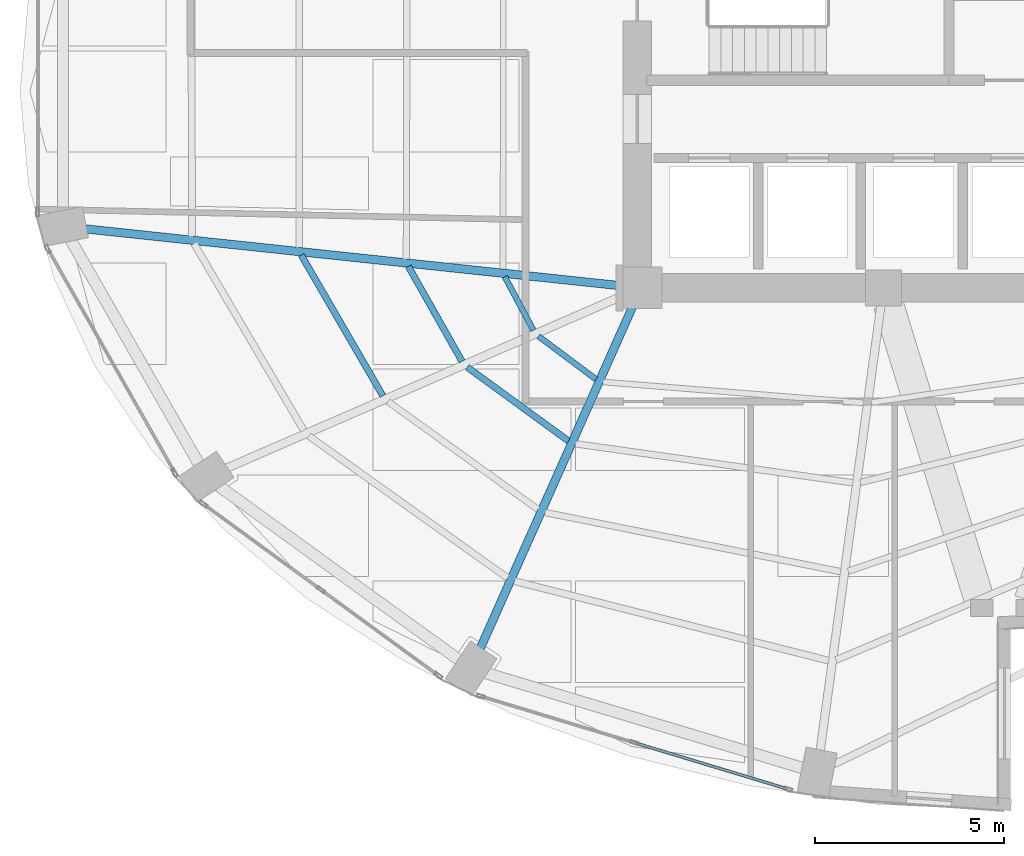
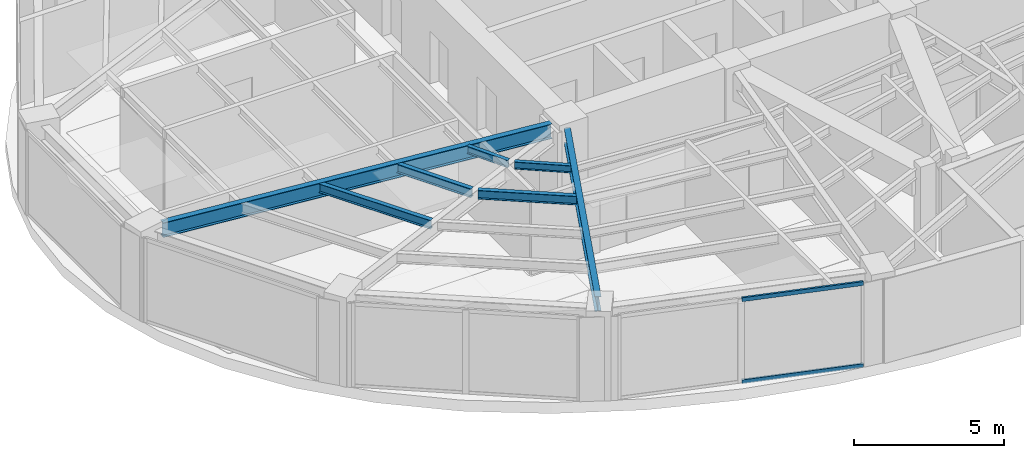
# One storey, part 4 of 23: 7 beams, 2 members, 1 element without a shape of its own.
"""IFC4 building model written with IfcOpenShell, lengths in metres."""

from ifc_helpers import new_model, si_unit, direction, frame, origin, origin_2d, place, context, subcontext, project, spatial, hollow_rectangle, i_section, extrude, material, layer, layer_set, material_profile, profile_set, type_object, element, aggregate, save


model = new_model("IFC4")

# Units and contexts
model_context = context("Model", 3, precision=1e-05, world=origin(), true_north=direction((0.0, 1.0)))
body_context = subcontext(model_context, "Body", "Model", "MODEL_VIEW")
ifc_project = project(units=[si_unit("LENGTHUNIT", "METRE"), si_unit("AREAUNIT", "SQUARE_METRE"), si_unit("VOLUMEUNIT", "CUBIC_METRE"), si_unit("PLANEANGLEUNIT", "RADIAN"), si_unit("MASSUNIT", "GRAM", prefix="KILO")], contexts=[model_context])

# Site, building, storey
site_placement = place(None, origin())
site = spatial("IfcSite", under=ifc_project, at=site_placement, CompositionType="ELEMENT")
building_placement = place(site_placement, origin())
building = spatial("IfcBuilding", under=site, at=building_placement, Name="Lazwardi Medical Tower", CompositionType="ELEMENT")
storey_placement = place(building_placement, frame((0.0, 0.0, 81.743896484375)))
storey = spatial("IfcBuildingStorey", under=building, at=storey_placement, Name="L20", CompositionType="ELEMENT", Elevation=81.743896484375)

# Beams
ifc_material_1 = material(Name="Steel S355", Category="steel")
ifc_material_profile_1 = material_profile(ifc_material_1, i_section(OverallWidth=0.219970703125, OverallDepth=0.60009765625, WebThickness=0.011962890625, FlangeThickness=0.01904296875, at=origin_2d()), Name="IPE 600")
ifc_profile_set_1 = profile_set([ifc_material_profile_1], Name="Steel S355")
beam_type_1 = type_object("IfcBeamType", Name="BM-RG-W1", PredefinedType="BEAM", material=ifc_profile_set_1)
beam_1_placement = place(storey_placement, frame((11.7138671875, 21.958984375, 3.128173828125), z_axis=(0.994413340753, -0.10555618282, 0.0), x_axis=(0.10555618282, 0.994413340753, 0.0)))
element("IfcBeam", 1, at=beam_1_placement, inside=storey, type_object=beam_type_1, Name="Radial girder RG-02 R13 L20", PredefinedType="BEAM", context=body_context, shape_type="SweptSolid", body=[
    extrude(i_section(OverallWidth=0.219970703125, OverallDepth=0.60009765625, WebThickness=0.011962890625, FlangeThickness=0.01904296875, at=origin_2d()), origin(), (0.0, 0.0, 1.0), 14.233642578125),
])
beam_2_placement = place(storey_placement, frame((22.152587890625, 10.872314453125, 3.128173828125), z_axis=(0.407165924957, 0.913354208155, 0.0), x_axis=(-0.913354208155, 0.407165924957, 0.0)))
element("IfcBeam", 2, at=beam_2_placement, inside=storey, type_object=beam_type_1, Name="Radial girder RG-02 R15 L20", PredefinedType="BEAM", context=body_context, shape_type="SweptSolid", body=[
    extrude(i_section(OverallWidth=0.219970703125, OverallDepth=0.60009765625, WebThickness=0.011962890625, FlangeThickness=0.01904296875, at=origin_2d()), origin(), (0.0, 0.0, 1.0), 9.896484375),
])
ifc_material_profile_2 = material_profile(ifc_material_1, i_section(OverallWidth=0.169921875, OverallDepth=0.360107421875, WebThickness=0.008056640625, FlangeThickness=0.0126953125, at=origin_2d()), Name="IPE 360")
ifc_profile_set_2 = profile_set([ifc_material_profile_2], Name="Steel S355")
beam_type_2 = type_object("IfcBeamType", Name="BM-SJ-02", PredefinedType="JOIST", material=ifc_profile_set_2)
beam_3_placement = place(storey_placement, frame((17.42822265625, 21.26708984375, 3.248046875), z_axis=(0.501365325212, -0.865235696602, 0.0), x_axis=(0.865235696602, 0.501365325212, 0.0)))
element("IfcBeam", 3, at=beam_3_placement, inside=storey, type_object=beam_type_2, Name="Secondary joist SJ-02 R2 B13 L20", PredefinedType="JOIST", context=body_context, shape_type="SweptSolid", body=[
    extrude(i_section(OverallWidth=0.169921875, OverallDepth=0.360107421875, WebThickness=0.008056640625, FlangeThickness=0.0126953125, at=origin_2d()), origin(), (0.0, 0.0, 1.0), 4.298828125),
])
beam_4_placement = place(storey_placement, frame((20.258056640625, 20.966064453125, 3.248046875), z_axis=(0.492026539517, -0.870580199873, 0.0), x_axis=(0.870580199873, 0.492026539517, 0.0)))
element("IfcBeam", 4, at=beam_4_placement, inside=storey, type_object=beam_type_2, Name="Secondary joist SJ-02 R3 B13 L20", PredefinedType="JOIST", context=body_context, shape_type="SweptSolid", body=[
    extrude(i_section(OverallWidth=0.169921875, OverallDepth=0.360107421875, WebThickness=0.008056640625, FlangeThickness=0.0126953125, at=origin_2d()), origin(), (0.0, 0.0, 1.0), 2.880859375),
])
beam_5_placement = place(storey_placement, frame((21.81201171875, 18.3046875, 3.248046875), z_axis=(0.808301737247, -0.588768461761, 0.0), x_axis=(0.588768461761, 0.808301737247, 0.0)))
element("IfcBeam", 5, at=beam_5_placement, inside=storey, type_object=beam_type_2, Name="Secondary joist SJ-02 R3 B14 L20", PredefinedType="JOIST", context=body_context, shape_type="SweptSolid", body=[
    extrude(i_section(OverallWidth=0.169921875, OverallDepth=0.360107421875, WebThickness=0.008056640625, FlangeThickness=0.0126953125, at=origin_2d()), origin(), (0.0, 0.0, 1.0), 3.307373046875),
])
ifc_material_profile_3 = material_profile(ifc_material_1, i_section(OverallWidth=0.14990234375, OverallDepth=0.300048828125, WebThickness=0.007080078125, FlangeThickness=0.0107421875, at=origin_2d()), Name="IPE 300")
ifc_profile_set_3 = profile_set([ifc_material_profile_3], Name="Steel S355")
beam_type_3 = type_object("IfcBeamType", Name="BM-SJ-03", PredefinedType="JOIST", material=ifc_profile_set_3)
beam_6_placement = place(storey_placement, frame((22.8037109375, 20.6943359375, 3.278076171875), z_axis=(0.471022344925, -0.882121278839, 0.0), x_axis=(0.882121278839, 0.471022344925, 0.0)))
element("IfcBeam", 6, at=beam_6_placement, inside=storey, type_object=beam_type_3, Name="Secondary joist SJ-03 R4 B13 L20", PredefinedType="JOIST", context=body_context, shape_type="SweptSolid", body=[
    extrude(i_section(OverallWidth=0.14990234375, OverallDepth=0.300048828125, WebThickness=0.007080078125, FlangeThickness=0.0107421875, at=origin_2d()), origin(), (0.0, 0.0, 1.0), 1.605224609375),
])
beam_7_placement = place(storey_placement, frame((23.693359375, 19.12255859375, 3.278076171875), z_axis=(0.800447687995, -0.599402618265, 0.0), x_axis=(0.599402618265, 0.800447687995, 0.0)))
element("IfcBeam", 7, at=beam_7_placement, inside=storey, type_object=beam_type_3, Name="Secondary joist SJ-03 R4 B14 L20", PredefinedType="JOIST", context=body_context, shape_type="SweptSolid", body=[
    extrude(i_section(OverallWidth=0.14990234375, OverallDepth=0.300048828125, WebThickness=0.007080078125, FlangeThickness=0.0107421875, at=origin_2d()), origin(), (0.0, 0.0, 1.0), 1.896728515625),
])

# Curtain wall, members
ifc_material_2 = material(Name="Anodised bronze aluminium and solar control glazing", Category="aluminium")
ifc_layer = layer(ifc_material_2, 0.195068359375)
ifc_layer_set = layer_set([ifc_layer], Name="Anodised bronze aluminium and solar control glazing")
curtain_wall_type = type_object("IfcCurtainWallType", Name="CW-SYS-03", PredefinedType="NOTDEFINED", material=ifc_layer_set)
curtain_wall_placement = place(storey_placement, origin())
curtain_wall = element("IfcCurtainWall", 8, at=curtain_wall_placement, inside=storey, type_object=curtain_wall_type, Name="L20 Unitised bronze curtain wall CW-03", PredefinedType="NOTDEFINED")
ifc_material_3 = material(Name="Anodised bronze aluminium", Category="aluminium")
ifc_material_profile_4 = material_profile(ifc_material_3, hollow_rectangle(XDim=0.074951171875, YDim=0.159912109375, WallThickness=0.00390625, at=origin_2d()), Name="ALU-TRANSOM 160x75x4")
ifc_profile_set_4 = profile_set([ifc_material_profile_4], Name="Anodised bronze aluminium")
member_type = type_object("IfcMemberType", Name="CW-TRN-01", PredefinedType="USERDEFINED", material=ifc_profile_set_4)
member_1_placement = place(storey_placement, frame((26.2666015625, 8.3759765625, 0.03759765625), z_axis=(0.957220865985, -0.289358279168, 0.0), x_axis=(0.289358279168, 0.957220865985, 0.0)))
member_1 = element("IfcMember", 9, at=member_1_placement, type_object=member_type, Name="CW-03 transom 2.1", ObjectType="TRANSOM", PredefinedType="USERDEFINED", context=body_context, shape_type="SweptSolid", body=[
    extrude(hollow_rectangle(XDim=0.074951171875, YDim=0.159912109375, WallThickness=0.00390625, at=origin_2d()), origin(), (0.0, 0.0, 1.0), 4.16552734375),
])
member_2_placement = place(storey_placement, frame((26.2666015625, 8.3759765625, 3.390625), z_axis=(0.957220865985, -0.289358279168, 0.0), x_axis=(0.289358279168, 0.957220865985, 0.0)))
member_2 = element("IfcMember", 10, at=member_2_placement, type_object=member_type, Name="CW-03 transom 2.2", ObjectType="TRANSOM", PredefinedType="USERDEFINED", context=body_context, shape_type="SweptSolid", body=[
    extrude(hollow_rectangle(XDim=0.074951171875, YDim=0.159912109375, WallThickness=0.00390625, at=origin_2d()), origin(), (0.0, 0.0, 1.0), 4.16552734375),
])
aggregate(curtain_wall, [member_1, member_2])

save(model, "model.ifc")
